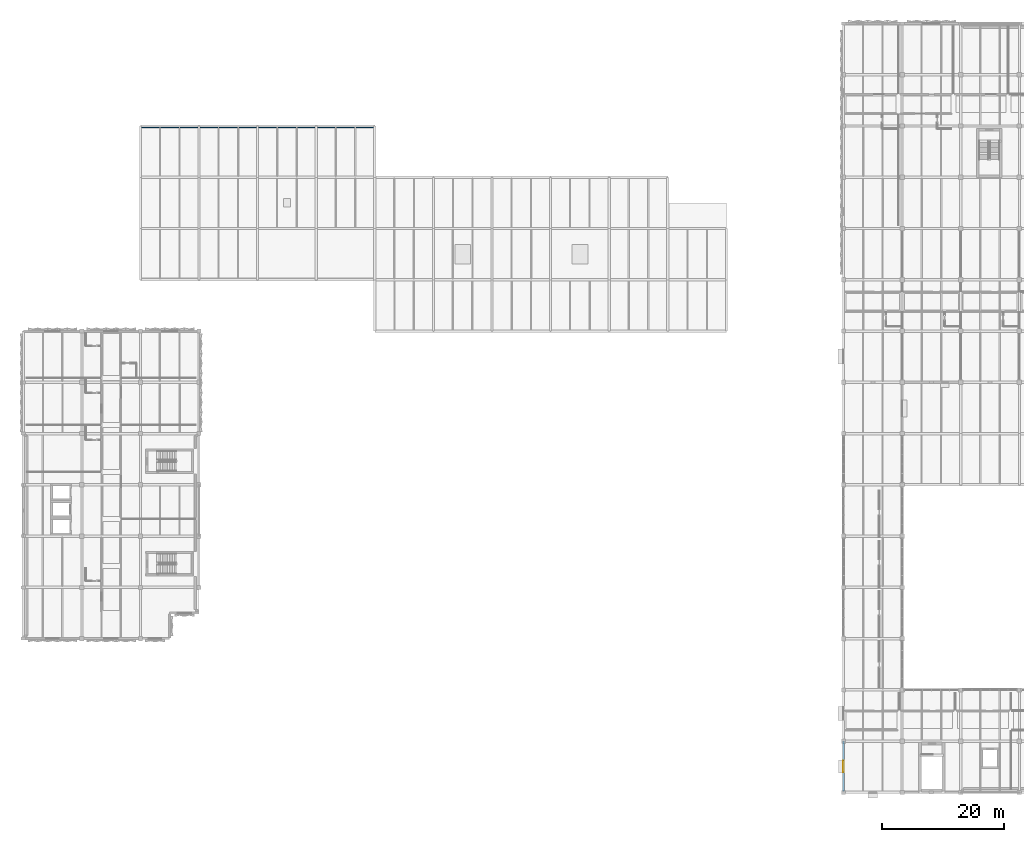
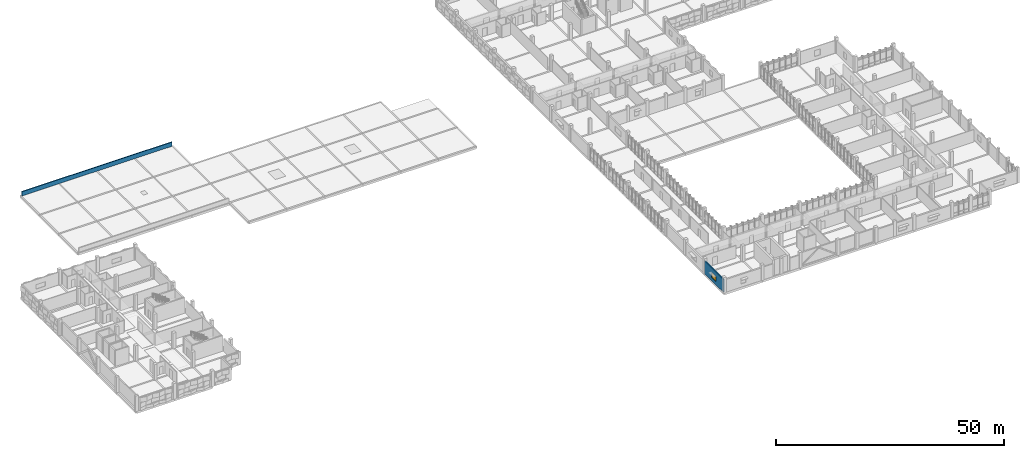
# One storey, part 39 of 57: 2 walls, 1 window, 1 opening.
"""IFC4 building model written with IfcOpenShell, lengths in metres."""

import ifcopenshell
import ifcopenshell.guid

model = None  # the IFC model being written
_history = None  # IfcOwnerHistory: only IFC2X3 demands one
_inside = {}  # id of a spatial element -> (the spatial element, [elements in it])
_under = {}  # id of a project, library or spatial element -> (it, [spatial elements below it])
_declared = {}  # id of a project -> (the project, [libraries it declares])
_typed = {}  # id of a type object -> (the type object, [elements of that type])
_made_of = {}  # id of a material, layer set ... -> (it, [elements and type objects made of it])


def new_model(schema):
    """Start an empty IFC model of exactly this schema.

    Asked for "IFC4X3", IfcOpenShell would pick the latest addendum, in which some entities
    have other attributes; the version numbers below select the first issue.
    IFC2X3 requires an IfcOwnerHistory on every rooted entity: one is made here for all.
    """
    global model, _history
    if schema == "IFC4X3":
        model = ifcopenshell.file(schema_version=(4, 3, 0, 0))
    else:
        model = ifcopenshell.file(schema=schema)
    _inside.clear()
    _under.clear()
    _declared.clear()
    _typed.clear()
    _made_of.clear()
    _history = None
    if model.schema == "IFC2X3":
        org = make("IfcOrganization", Name="unknown")
        user = make(
            "IfcPersonAndOrganization",
            ThePerson=make("IfcPerson", FamilyName="unknown"),
            TheOrganization=org,
        )
        app = make(
            "IfcApplication",
            ApplicationDeveloper=org,
            Version="unknown",
            ApplicationFullName="unknown",
            ApplicationIdentifier="unknown",
        )
        _history = make(
            "IfcOwnerHistory",
            OwningUser=user,
            OwningApplication=app,
            ChangeAction="ADDED",
            CreationDate=0,
        )
    return model


def make(cls, **values):
    """One entity of the class cls with the attributes given. An attribute that is None is left unset."""
    return model.create_entity(
        cls, **{name: value for name, value in values.items() if value is not None}
    )


def rooted(cls, **values):
    """An entity with a GlobalId (a new one), such as an element, a storey or a relation."""
    return make(cls, GlobalId=ifcopenshell.guid.new(), OwnerHistory=_history, **values)


def si_unit(unit_type, name, prefix=None):
    """IfcSIUnit, for example si_unit("LENGTHUNIT", "METRE", prefix="MILLI")."""
    return make("IfcSIUnit", UnitType=unit_type, Prefix=prefix, Name=name)


def assignment(units):
    """IfcUnitAssignment: the units of a project."""
    return None if units is None else make("IfcUnitAssignment", Units=units)


def point(xyz):
    """IfcCartesianPoint."""
    return None if xyz is None else make("IfcCartesianPoint", Coordinates=xyz)


def direction(xyz):
    """IfcDirection."""
    return None if xyz is None else make("IfcDirection", DirectionRatios=xyz)


def frame(location, z_axis=None, x_axis=None):
    """IfcAxis2Placement3D, a coordinate frame: its origin and axes. An axis left out is left unset."""
    return make(
        "IfcAxis2Placement3D",
        Location=point(location),
        Axis=direction(z_axis),
        RefDirection=direction(x_axis),
    )


def frame_2d(location, x_axis=None):
    """IfcAxis2Placement2D, a coordinate frame in the plane: its origin and x axis."""
    return make(
        "IfcAxis2Placement2D", Location=point(location), RefDirection=direction(x_axis)
    )


def origin():
    """The frame at (0, 0, 0) with its axes left unset."""
    return frame((0.0, 0.0, 0.0))


def place(relative_to, where):
    """IfcLocalPlacement: puts the frame where relative to a parent placement (None: the world)."""
    return make(
        "IfcLocalPlacement", PlacementRelTo=relative_to, RelativePlacement=where
    )


def context(
    kind, dimensions, precision=None, world=None, true_north=None, identifier=None
):
    """IfcGeometricRepresentationContext, for example the 3D "Model" context."""
    return make(
        "IfcGeometricRepresentationContext",
        ContextIdentifier=identifier,
        ContextType=kind,
        CoordinateSpaceDimension=dimensions,
        Precision=precision,
        WorldCoordinateSystem=world,
        TrueNorth=true_north,
    )


def subcontext(parent, identifier, kind, view, scale=None):
    """IfcGeometricRepresentationSubContext, for example "Body" below "Model"."""
    return make(
        "IfcGeometricRepresentationSubContext",
        ContextIdentifier=identifier,
        ContextType=kind,
        ParentContext=parent,
        TargetScale=scale,
        TargetView=view,
    )


def project(units=None, contexts=None):
    """IfcProject with its units and contexts."""
    return rooted(
        "IfcProject",
        Name="project",
        RepresentationContexts=contexts,
        UnitsInContext=assignment(units),
    )


def spatial(cls, under=None, at=None, **own):
    """A site, building, storey or space (cls), placed at a placement, below another one or the project."""
    s = rooted(cls, ObjectPlacement=at, **own)
    if under is not None:
        _under.setdefault(under.id(), (under, []))[1].append(s)
    return s


def profile(cls, at=None, kind="AREA", **sizes):
    """A parametric profile (cls). Its sizes go by their IFC names, for example OverallWidth=200.0."""
    return make(cls, ProfileType=kind, Position=at, **sizes)


def rectangle(**sizes):
    """IfcRectangleProfileDef."""
    return profile("IfcRectangleProfileDef", **sizes)


def extrude(swept, where, along, depth):
    """IfcExtrudedAreaSolid: the profile swept, set in the frame where, extruded along a direction by depth."""
    return make(
        "IfcExtrudedAreaSolid",
        SweptArea=swept,
        Position=where,
        ExtrudedDirection=direction(along),
        Depth=depth,
    )


def shape(context_of_items, identifier, shape_type, items):
    """IfcShapeRepresentation: the items that make up one representation, for example the "Body"."""
    return make(
        "IfcShapeRepresentation",
        ContextOfItems=context_of_items,
        RepresentationIdentifier=identifier,
        RepresentationType=shape_type,
        Items=items,
    )


def material(Name=None, Category=None):
    """IfcMaterial."""
    return make("IfcMaterial", Name=Name, Category=Category)


def layer(
    of_material, thickness, ventilated=None, Name=None, Category=None, Priority=None
):
    """IfcMaterialLayer: one layer of a wall or slab, of a material (None: an air gap)."""
    return make(
        "IfcMaterialLayer",
        Material=of_material,
        LayerThickness=thickness,
        IsVentilated=ventilated,
        Name=Name,
        Category=Category,
        Priority=Priority,
    )


def layer_set(layers, Name=None):
    """IfcMaterialLayerSet."""
    return make("IfcMaterialLayerSet", MaterialLayers=layers, LayerSetName=Name)


def made_of(thing, what):
    """Note that an element or type object is made of a material, layer set ...; save() writes the relation."""
    if what is not None:
        _made_of.setdefault(what.id(), (what, []))[1].append(thing)
    return thing


def type_object(cls, material=None, **own):
    """A type object (cls), such as IfcWallType, which elements share."""
    return made_of(rooted(cls, **own), material)


def element(
    cls,
    number,
    at=None,
    inside=None,
    cuts=None,
    type_object=None,
    material=None,
    context=None,
    identifier="Body",
    shape_type=None,
    held_by="IfcProductDefinitionShape",
    body=None,
    shapes=None,
    **own,
):
    """One element of the class cls, such as IfcWall. Its Tag is "e" and its number.

    at: its placement. inside: the storey or other place that contains it. cuts: it is an
    opening in that element (IfcRelVoidsElement). A single representation is given by context,
    identifier, shape_type and body (its items); several are given by shapes. held_by: the class
    of the entity that holds the representations. save() writes the other relations.
    """
    e = rooted(cls, Tag="e%d" % number, ObjectPlacement=at, **own)
    if body is not None:
        shapes = [shape(context, identifier, shape_type, body)]
    if shapes is not None:
        e.Representation = make(held_by, Representations=shapes)
    if inside is not None:
        _inside.setdefault(inside.id(), (inside, []))[1].append(e)
    if cuts is not None:
        rooted(
            "IfcRelVoidsElement", RelatingBuildingElement=cuts, RelatedOpeningElement=e
        )
    if type_object is not None:
        _typed.setdefault(type_object.id(), (type_object, []))[1].append(e)
    return made_of(e, material)


def fill(opening, filler):
    """IfcRelFillsElement: the door or window that sits in an opening."""
    return rooted(
        "IfcRelFillsElement",
        RelatingOpeningElement=opening,
        RelatedBuildingElement=filler,
    )


def aggregate(whole, parts):
    """IfcRelAggregates: a whole, such as a stair, and the parts it consists of."""
    return rooted("IfcRelAggregates", RelatingObject=whole, RelatedObjects=parts)


def save(model, path):
    """Write the relations noted so far, then the file.

    IfcRelAggregates (storeys below a building ...), IfcRelContainedInSpatialStructure (elements
    in a storey), IfcRelDefinesByType, IfcRelAssociatesMaterial and IfcRelDeclares: one each for
    every whole, place, type object, material and project.
    """
    for whole, parts in _under.values():
        aggregate(whole, parts)
    for where, things in _inside.values():
        rooted(
            "IfcRelContainedInSpatialStructure",
            RelatedElements=things,
            RelatingStructure=where,
        )
    for kind, things in _typed.values():
        rooted("IfcRelDefinesByType", RelatedObjects=things, RelatingType=kind)
    for what, things in _made_of.values():
        rooted("IfcRelAssociatesMaterial", RelatedObjects=things, RelatingMaterial=what)
    for by, libraries in _declared.values():
        rooted("IfcRelDeclares", RelatingContext=by, RelatedDefinitions=libraries)
    model.write(path)


model = new_model("IFC4")

# Units and contexts
model_context = context("Model", 3, precision=1e-05, world=origin(), true_north=direction((0.0, 1.0)))
body_context = subcontext(model_context, "Body", "Model", "MODEL_VIEW")
ifc_project = project(units=[si_unit("LENGTHUNIT", "METRE"), si_unit("AREAUNIT", "SQUARE_METRE"), si_unit("VOLUMEUNIT", "CUBIC_METRE"), si_unit("PLANEANGLEUNIT", "RADIAN"), si_unit("MASSUNIT", "GRAM", prefix="KILO")], contexts=[model_context])

# Site, building, storey
site_placement = place(None, origin())
site = spatial("IfcSite", under=ifc_project, at=site_placement, CompositionType="ELEMENT")
building_placement = place(site_placement, origin())
building = spatial("IfcBuilding", under=site, at=building_placement, Name="Oolite Switchyard Hospital", CompositionType="ELEMENT")
storey_placement = place(building_placement, frame((0.0, 0.0, 17.800048828125)))
storey = spatial("IfcBuildingStorey", under=building, at=storey_placement, Name="L04", CompositionType="ELEMENT", Elevation=17.800048828125)

# Wall, opening, window
ifc_material_1 = material(Name="Precast oolitic limestone architectural concrete C40/50", Category="masonry")
ifc_layer_1 = layer(ifc_material_1, 0.320068359375)
ifc_layer_set_1 = layer_set([ifc_layer_1], Name="WAL-EXT-320")
wall_type_1 = type_object("IfcWallType", Name="WAL-EXT-320", PredefinedType="SOLIDWALL", material=ifc_layer_set_1)
wall_1_placement = place(storey_placement, frame((134.39990234375, 8.56005859375, 0.0), z_axis=(0.0, 0.0, 1.0), x_axis=(0.0, 1.0, 0.0)))
wall_1 = element("IfcWall", 1, at=wall_1_placement, inside=storey, type_object=wall_type_1, Name="L04 Exterior Spandrel Wall 293", PredefinedType="SOLIDWALL", context=body_context, shape_type="SweptSolid", body=[
    extrude(rectangle(XDim=8.239990234375, YDim=0.320068359375, at=frame_2d((4.1201171875, 0.0))), origin(), (0.0, 0.0, 1.0), 3.389892578125),
])
opening_placement = place(wall_1_placement, frame((3.169921875, 0.0, 0.85009765625)))
opening = element("IfcOpeningElement", 2, at=opening_placement, cuts=wall_1, Name="Opening WN-0173", PredefinedType="OPENING", context=body_context, shape_type="SweptSolid", body=[
    extrude(rectangle(XDim=1.89990234375, YDim=1.39990234375, at=frame_2d((0.949951171875, 0.699951171875))), frame((0.0, 0.169921875, 0.0), z_axis=(0.0, -1.0, 0.0), x_axis=(1.0, 0.0, 0.0)), (0.0, 0.0, 1.0), 0.340087890625),
])
ifc_material_2 = material(Name="Thermally broken aluminum frame with laminated impact glazing", Category="aluminium")
window_type = type_object("IfcWindowType", Name="WIN-IMP-190X140", PartitioningType="SINGLE_PANEL", PredefinedType="WINDOW", material=ifc_material_2)
window_placement = place(opening_placement, origin())
window = element("IfcWindow", 3, at=window_placement, inside=storey, type_object=window_type, Name="L04 Hurricane Impact Window WN-0173", OverallHeight=1.39990234375, OverallWidth=1.89990234375, PartitioningType="SINGLE_PANEL", PredefinedType="WINDOW", context=body_context, shape_type="SweptSolid", body=[
    extrude(rectangle(XDim=1.89990234375, YDim=1.39990234375, at=frame_2d((0.949951171875, 0.699951171875))), frame((0.0, 0.030029296875, 0.0), z_axis=(0.0, -1.0, 0.0), x_axis=(1.0, 0.0, 0.0)), (0.0, 0.0, 1.0), 0.06005859375),
])
fill(opening, window)

# Wall
ifc_layer_2 = layer(ifc_material_1, 0.219970703125)
ifc_layer_set_2 = layer_set([ifc_layer_2], Name="WAL-PAR-220")
wall_type_2 = type_object("IfcWallType", Name="WAL-PAR-220", PredefinedType="PARAPET", material=ifc_layer_set_2)
wall_2_placement = place(storey_placement, frame((19.39990234375, 117.449951171875, 0.0), z_axis=(0.0, 0.0, 1.0), x_axis=(1.0, 0.0, 0.0)))
element("IfcWall", 4, at=wall_2_placement, inside=storey, type_object=wall_type_2, Name="L04 Roof Parapet Wall 7", PredefinedType="PARAPET", context=body_context, shape_type="SweptSolid", body=[
    extrude(rectangle(XDim=38.0, YDim=0.219970703125, at=frame_2d((19.0, 0.0))), origin(), (0.0, 0.0, 1.0), 1.14990234375),
])

save(model, "model.ifc")
